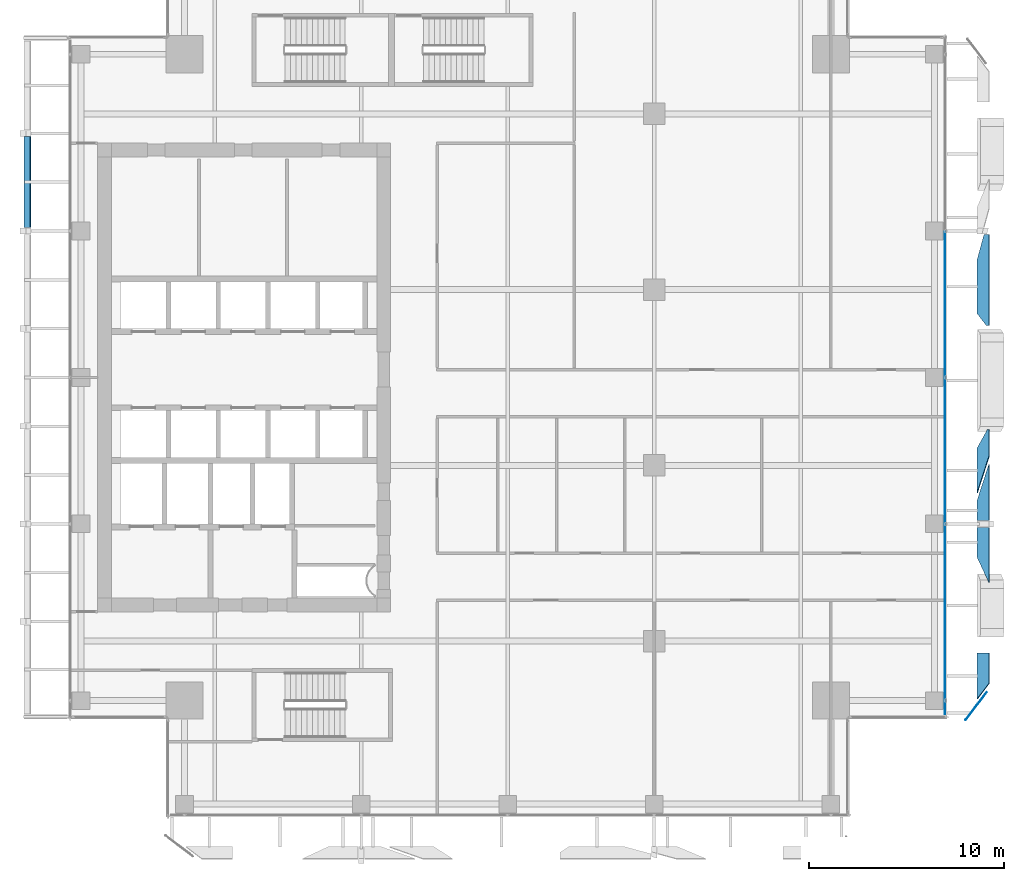
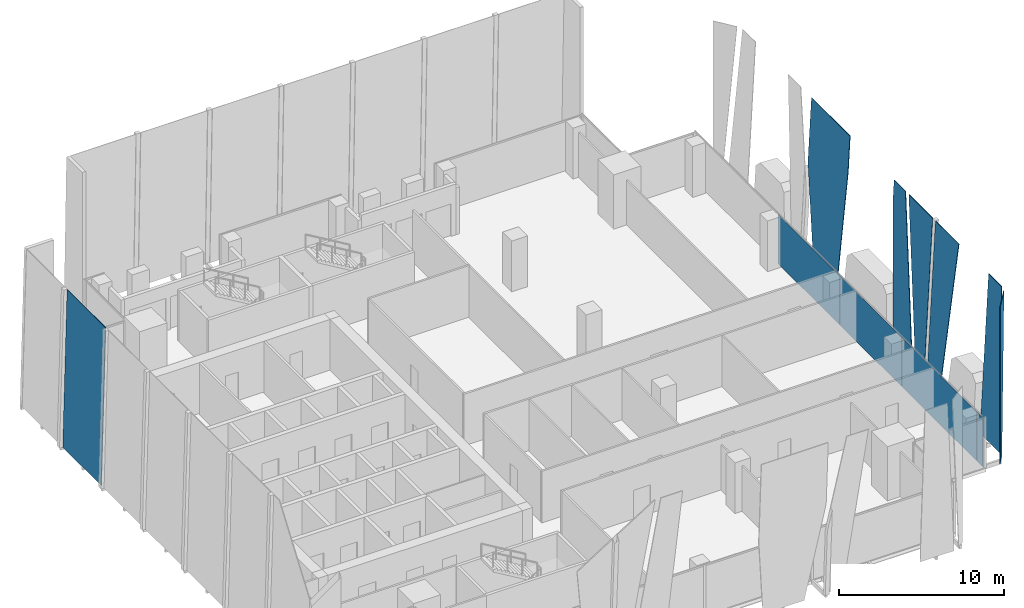
# One storey, part 23 of 33: 11 plates, 1 element without a shape of its own.
"""IFC4 building model written with IfcOpenShell, lengths in metres."""

from ifc_helpers import new_model, si_unit, direction, frame, origin, origin_2d, place, context, subcontext, project, spatial, polyline, rectangle, outline, extrude, source, transform, mapped, material, layer, layer_set, type_object, element, aggregate, save


model = new_model("IFC4")

# Units and contexts
model_context = context("Model", 3, precision=1e-05, world=origin(), true_north=direction((0.0, 1.0)))
body_context = subcontext(model_context, "Body", "Model", "MODEL_VIEW")
ifc_project = project(units=[si_unit("LENGTHUNIT", "METRE"), si_unit("AREAUNIT", "SQUARE_METRE"), si_unit("VOLUMEUNIT", "CUBIC_METRE"), si_unit("PLANEANGLEUNIT", "RADIAN"), si_unit("MASSUNIT", "GRAM", prefix="KILO")], contexts=[model_context])

# Site, building, storey
site_placement = place(None, origin())
site = spatial("IfcSite", under=ifc_project, at=site_placement, CompositionType="ELEMENT")
building_placement = place(site_placement, origin())
building = spatial("IfcBuilding", under=site, at=building_placement, Name="Khomas Fold Tower", CompositionType="ELEMENT")
storey_placement = place(building_placement, frame((0.0, 0.0, 234.199951171875)))
storey = spatial("IfcBuildingStorey", under=building, at=storey_placement, Name="L52", CompositionType="ELEMENT", Elevation=234.199951171875)

# Plates
ifc_material_1 = material(Name="Clear laminated glass", Category="glass")
ifc_layer_1 = layer(ifc_material_1, 0.0400390625)
ifc_layer_set_1 = layer_set([ifc_layer_1], Name="Clear laminated glass")
plate_type_1 = type_object("IfcPlateType", Name="SK-Clear laminated glass leaf", PredefinedType="SHEET", material=ifc_layer_set_1)
plate_1_placement = place(storey_placement, frame((51.02880859375, 12.89990234375, 0.0), z_axis=(-0.99862882819, 0.0, 0.052349436554), x_axis=(0.0, -1.0, 0.0)))
element("IfcPlate", 1, at=plate_1_placement, inside=storey, type_object=plate_type_1, Name="OUTER SKIN glass L52 EG098-1", PredefinedType="SHEET", context=body_context, shape_type="SweptSolid", body=[
    extrude(outline(polyline([(0.0, 0.0), (2.36865234375, 0.0), (1.569091796875, 11.565907674683308), (0.0, 11.565907674683308), (0.0, 0.0)])), origin(), (0.0, 0.0, -1.0), 0.0400390625),
])
plate_2_placement = place(storey_placement, frame((50.908935546875, 10.106201171875, 0.0), z_axis=(-0.797327739465, 0.603546581313, 8.008414e-06), x_axis=(-0.603546581333, -0.797327739491, 9.37e-10)))
element("IfcPlate", 2, at=plate_2_placement, inside=storey, type_object=plate_type_1, Name="OUTER SKIN glass L52 EG098-2", PredefinedType="SHEET", context=body_context, shape_type="SweptSolid", body=[
    extrude(outline(polyline([(0.0, 0.0), (0.7905347273656019, 8.470329472543003e-22), (0.7905347381884028, 11.550048827754619), (-1.0029403867694047, 11.550048830175927), (0.0, 0.0)])), origin(), (0.0, 0.0, -1.0), 0.0400390625),
])
plate_3_placement = place(storey_placement, frame((51.02880859375, 23.380126953125, 0.0), z_axis=(-0.998628826995, -2.77928e-07, 0.05234945935), x_axis=(2.77547e-07, -1.0, -1.4549e-08)))
element("IfcPlate", 3, at=plate_3_placement, inside=storey, type_object=plate_type_1, Name="OUTER SKIN glass L52 EG100-3", PredefinedType="SHEET", context=body_context, shape_type="SweptSolid", body=[
    extrude(outline(polyline([(0.0, 0.0), (2.2888183593749116, 0.0), (0.4228515624999103, 11.565907674683304), (-0.9499511718750366, 11.565907674683304), (-0.9499511718753194, 10.09220723564973), (0.0, 0.0)])), origin(), (0.0, 0.0, -1.0), 0.0400390625),
])
plate_4_placement = place(storey_placement, frame((51.02880859375, 17.80126953125, 0.0), z_axis=(-0.99862882819, 0.0, 0.052349436554), x_axis=(0.052022197367, -0.111637957414, 0.99238634485)))
element("IfcPlate", 4, at=plate_4_placement, inside=storey, type_object=plate_type_1, Name="OUTER SKIN glass L52 EG099-4", PredefinedType="SHEET", context=body_context, shape_type="SweptSolid", body=[
    extrude(outline(polyline([(0.0, 0.0), (11.638661583826925, -2.220446049250313e-16), (11.322935485515755, 2.8104462361821128), (-0.17067306868305843, 1.5192519277427825), (0.0, 0.0)])), origin(), (0.0, 0.0, -1.0), 0.0400390625),
])
plate_5_placement = place(storey_placement, frame((51.02880859375, 20.68603515625, 0.0), z_axis=(-0.99862882819, 0.0, 0.052349436554), x_axis=(0.0, -1.0, 0.0)))
element("IfcPlate", 5, at=plate_5_placement, inside=storey, type_object=plate_type_1, Name="OUTER SKIN glass L52 EG100-6", PredefinedType="SHEET", context=body_context, shape_type="SweptSolid", body=[
    extrude(outline(polyline([(0.0, 0.0), (1.01611328125, 0.0), (1.01611328125, 11.565907674683308), (-1.865966796875, 11.565907674683308), (0.0, 0.0)])), origin(), (0.0, 0.0, -1.0), 0.0400390625),
])
plate_6_placement = place(storey_placement, frame((51.02880859375, 33.00390625, 0.0), z_axis=(-0.99862876491, -2.3543791e-05, 0.052350638395), x_axis=(2.3511507e-05, -0.999999999723, -1.232532e-06)))
element("IfcPlate", 6, at=plate_6_placement, inside=storey, type_object=plate_type_1, Name="OUTER SKIN glass L52 EG102-9", PredefinedType="SHEET", context=body_context, shape_type="SweptSolid", body=[
    extrude(outline(polyline([(0.0, 0.0), (2.72241210862047, 0.0), (3.3339843755150755, 8.971533795007964), (3.3339843737482484, 11.565907674674932), (-1.326171874960166, 11.565907674674932), (-1.3261718775993159, 6.90448059844875), (0.0, 0.0)])), origin(), (0.0, 0.0, -1.0), 0.0400390625),
])
plate_7_placement = place(storey_placement, frame((2.23486328125, 34.669921875, 0.0009765625), z_axis=(-0.999657230839, 0.0, 0.026180543005), x_axis=(0.0, 1.0, 0.0)))
element("IfcPlate", 7, at=plate_7_placement, inside=storey, type_object=plate_type_1, Name="OUTER SKIN glass L52 W11", PredefinedType="SHEET", context=body_context, shape_type="SweptSolid", body=[
    extrude(outline(polyline([(0.0, 0.0), (4.66015625, 0.0), (4.66015625, -11.554009186164079), (0.0, -11.554009186164079), (0.0, 0.0)])), origin(), (0.0, 0.0, -1.0), 0.0400390625),
])

# Curtain wall, plates
ifc_material_2 = material(Name="Aluminium framed double glazing", Category="aluminium")
curtain_wall_type = type_object("IfcCurtainWallType", Name="SK-Unitised clear-glass wall, office floors CW2", PredefinedType="NOTDEFINED", material=ifc_material_2)
curtain_wall_placement = place(storey_placement, origin())
curtain_wall = element("IfcCurtainWall", 8, at=curtain_wall_placement, inside=storey, type_object=curtain_wall_type, Name="CW2 run L52 03-0", PredefinedType="NOTDEFINED")
ifc_material_3 = material(Name="Clear double glazed unit")
ifc_layer_2 = layer(ifc_material_3, 0.030029296875)
ifc_layer_set_2 = layer_set([ifc_layer_2], Name="Clear double glazed unit")
plate_type_2 = type_object("IfcPlateType", Name="SK-Unitised clear-glass wall, office floors glass panel CW2-P", PredefinedType="CURTAIN_PANEL", material=ifc_layer_set_2)
shared_shape_1 = source(origin(), body_context, "Body", "SweptSolid", [
    extrude(rectangle(XDim=0.659912109375, YDim=0.030029296875, at=origin_2d()), origin(), (0.0, 0.0, 1.0), 3.639892578125),
])
plate_8_placement = place(storey_placement, frame((49.39990234375, 10.090087890625, 0.0), z_axis=(0.0, 0.0, 1.0), x_axis=(0.0, 1.0, 0.0)))
plate_8 = element("IfcPlate", 9, at=plate_8_placement, type_object=plate_type_2, Name="CW2 glass panel 1", PredefinedType="CURTAIN_PANEL", context=body_context, shape_type="MappedRepresentation", body=[
    mapped(shared_shape_1, transform((0.0, 0.0, 0.0))),
])
shared_shape_2 = source(origin(), body_context, "Body", "SweptSolid", [
    extrude(rectangle(XDim=7.43994140625, YDim=0.030029296875, at=origin_2d()), origin(), (0.0, 0.0, 1.0), 3.639892578125),
])
plate_9_placement = place(storey_placement, frame((49.39990234375, 23.25, 0.0), z_axis=(0.0, 0.0, 1.0), x_axis=(0.0, 1.0, 0.0)))
plate_9 = element("IfcPlate", 10, at=plate_9_placement, type_object=plate_type_2, Name="CW2 glass panel 3", PredefinedType="CURTAIN_PANEL", context=body_context, shape_type="MappedRepresentation", body=[
    mapped(shared_shape_2, transform((0.0, 0.0, 0.0))),
])
plate_10_placement = place(storey_placement, frame((49.39990234375, 30.75, 0.0), z_axis=(0.0, 0.0, 1.0), x_axis=(0.0, 1.0, 0.0)))
plate_10 = element("IfcPlate", 11, at=plate_10_placement, type_object=plate_type_2, Name="CW2 glass panel 4", PredefinedType="CURTAIN_PANEL", context=body_context, shape_type="MappedRepresentation", body=[
    mapped(shared_shape_2, transform((0.0, 0.0, 0.0))),
])
shared_shape_3 = source(origin(), body_context, "Body", "SweptSolid", [
    extrude(rectangle(XDim=8.989990234375, YDim=0.030029296875, at=origin_2d()), origin(), (0.0, 0.0, 1.0), 3.639892578125),
])
plate_11_placement = place(storey_placement, frame((49.39990234375, 14.97509765625, 0.0), z_axis=(0.0, 0.0, 1.0), x_axis=(0.0, 1.0, 0.0)))
plate_11 = element("IfcPlate", 12, at=plate_11_placement, type_object=plate_type_2, Name="CW2 glass panel 2", PredefinedType="CURTAIN_PANEL", context=body_context, shape_type="MappedRepresentation", body=[
    mapped(shared_shape_3, transform((0.0, 0.0, 0.0))),
])
aggregate(curtain_wall, [plate_8, plate_11, plate_9, plate_10])

save(model, "model.ifc")
